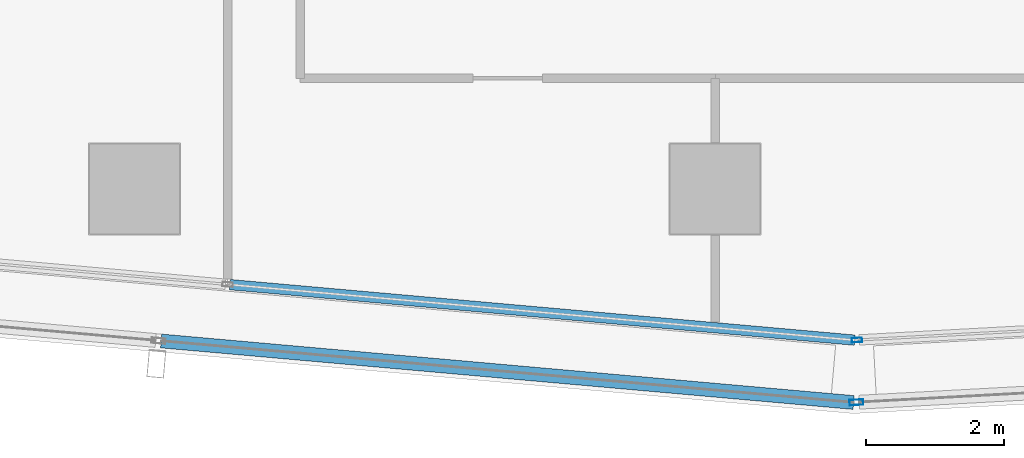
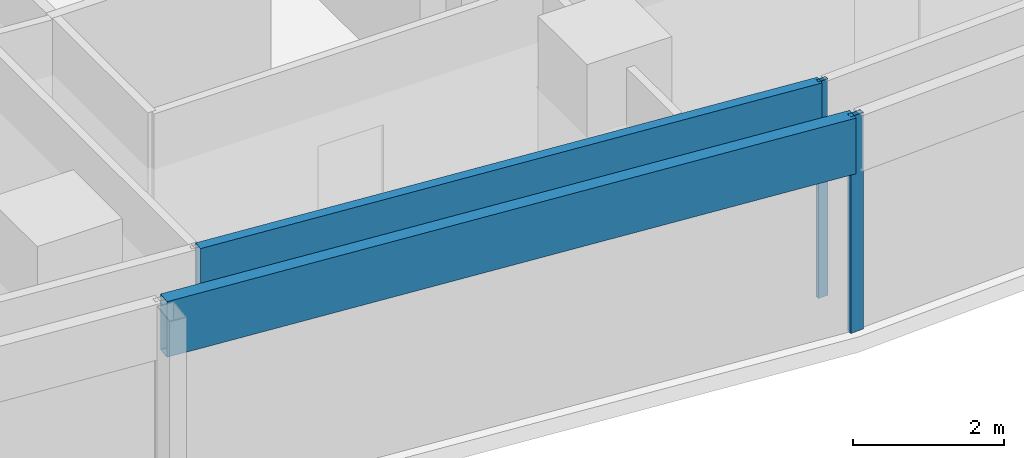
# One storey, part 5 of 29: 4 members, 4 elements without a shape of their own.
"""IFC4 building model written with IfcOpenShell, lengths in metres."""

from ifc_helpers import new_model, si_unit, direction, frame, origin, origin_2d, place, context, subcontext, project, spatial, hollow_rectangle, extrude, material, material_profile, profile_set, type_object, element, aggregate, save


model = new_model("IFC4")

# Units and contexts
model_context = context("Model", 3, precision=1e-05, world=origin(), true_north=direction((0.0, 1.0)))
body_context = subcontext(model_context, "Body", "Model", "MODEL_VIEW")
ifc_project = project(units=[si_unit("LENGTHUNIT", "METRE"), si_unit("AREAUNIT", "SQUARE_METRE"), si_unit("VOLUMEUNIT", "CUBIC_METRE"), si_unit("PLANEANGLEUNIT", "RADIAN"), si_unit("MASSUNIT", "GRAM", prefix="KILO")], contexts=[model_context])

# Site, building, storey
site_placement = place(None, origin())
site = spatial("IfcSite", under=ifc_project, at=site_placement, CompositionType="ELEMENT")
building_placement = place(site_placement, origin())
building = spatial("IfcBuilding", under=site, at=building_placement, Name="Rekha Terrace Tower", CompositionType="ELEMENT")
storey_placement = place(building_placement, frame((0.0, 0.0, 276.35009765625)))
storey = spatial("IfcBuildingStorey", under=building, at=storey_placement, Name="L70", CompositionType="ELEMENT", Elevation=276.35009765625)

# Curtain wall, member
ifc_material_1 = material(Name="Aluminium framing", Category="aluminium")
curtain_wall_type_1 = type_object("IfcCurtainWallType", Name="CW1 double skin inner glazing", PredefinedType="USERDEFINED", material=ifc_material_1)
curtain_wall_1_placement = place(storey_placement, origin())
curtain_wall_1 = element("IfcCurtainWall", 1, at=curtain_wall_1_placement, inside=storey, type_object=curtain_wall_type_1, Name="CW1 double skin inner glazing", ObjectType="DOUBLE SKIN INNER GLAZING", PredefinedType="USERDEFINED")
ifc_material_2 = material(Name="Aluminium mullion section", Category="aluminium")
ifc_material_profile_1 = material_profile(ifc_material_2, hollow_rectangle(XDim=0.06494140625, YDim=0.14990234375, WallThickness=0.00390625, at=origin_2d()), Name="AL RHS 65x150")
ifc_profile_set_1 = profile_set([ifc_material_profile_1], Name="Aluminium mullion section")
member_type_1 = type_object("IfcMemberType", Name="CW1 mullion RHS 65 x 150", PredefinedType="MULLION", material=ifc_profile_set_1)
member_1_placement = place(storey_placement, frame((27.254638671875, 14.6142578125, 0.0), z_axis=(0.0, 0.0, 1.0), x_axis=(-0.054388903036, 0.998519828159, 0.0)))
member_1 = element("IfcMember", 2, at=member_1_placement, type_object=member_type_1, Name="CW1 mullion 1", PredefinedType="MULLION", context=body_context, shape_type="SweptSolid", body=[
    extrude(hollow_rectangle(XDim=0.06494140625, YDim=0.14990234375, WallThickness=0.00390625, at=origin_2d()), origin(), (0.0, 0.0, 1.0), 3.5),
])
aggregate(curtain_wall_1, [member_1])

curtain_wall_2_placement = place(storey_placement, origin())
curtain_wall_2 = element("IfcCurtainWall", 3, at=curtain_wall_2_placement, inside=storey, type_object=curtain_wall_type_1, Name="CW1 double skin inner glazing", ObjectType="DOUBLE SKIN INNER GLAZING", PredefinedType="USERDEFINED")
ifc_material_3 = material(Name="Insulated aluminium spandrel box", Category="aluminium")
ifc_material_profile_2 = material_profile(ifc_material_3, hollow_rectangle(XDim=0.14990234375, YDim=0.89990234375, WallThickness=0.0029296875, at=origin_2d()), Name="AL SPANDREL BOX 150x900")
ifc_profile_set_2 = profile_set([ifc_material_profile_2], Name="Insulated aluminium spandrel box")
member_type_2 = type_object("IfcMemberType", Name="CW1 spandrel transom 150 x 900", PredefinedType="USERDEFINED", material=ifc_profile_set_2)
member_2_placement = place(storey_placement, frame((18.181884765625, 15.416015625, 3.0498046875), z_axis=(0.996073747712, -0.088527335432, 0.0), x_axis=(0.088527335432, 0.996073747712, 0.0)))
member_2 = element("IfcMember", 4, at=member_2_placement, type_object=member_type_2, Name="CW1 spandrel transom 2", ObjectType="TRANSOM", PredefinedType="USERDEFINED", context=body_context, shape_type="SweptSolid", body=[
    extrude(hollow_rectangle(XDim=0.14990234375, YDim=0.89990234375, WallThickness=0.0029296875, at=origin_2d()), origin(), (0.0, 0.0, 1.0), 9.075927734375),
])
aggregate(curtain_wall_2, [member_2])

curtain_wall_type_2 = type_object("IfcCurtainWallType", Name="CW2 double skin outer glazing", PredefinedType="USERDEFINED", material=ifc_material_1)
curtain_wall_3_placement = place(storey_placement, origin())
curtain_wall_3 = element("IfcCurtainWall", 5, at=curtain_wall_3_placement, inside=storey, type_object=curtain_wall_type_2, Name="CW2 double skin outer glazing", ObjectType="DOUBLE SKIN OUTER GLAZING", PredefinedType="USERDEFINED")
ifc_material_profile_3 = material_profile(ifc_material_2, hollow_rectangle(XDim=0.080078125, YDim=0.199951171875, WallThickness=0.00390625, at=origin_2d()), Name="AL RHS 80x200")
ifc_profile_set_3 = profile_set([ifc_material_profile_3], Name="Aluminium mullion section")
member_type_3 = type_object("IfcMemberType", Name="CW2 mullion RHS 80 x 200", PredefinedType="MULLION", material=ifc_profile_set_3)
member_3_placement = place(storey_placement, frame((27.24658203125, 13.712646484375, 0.0), z_axis=(0.0, 0.0, 1.0), x_axis=(-0.054388903071, 0.998519828157, 0.0)))
member_3 = element("IfcMember", 6, at=member_3_placement, type_object=member_type_3, Name="CW2 mullion 1", PredefinedType="MULLION", context=body_context, shape_type="SweptSolid", body=[
    extrude(hollow_rectangle(XDim=0.080078125, YDim=0.199951171875, WallThickness=0.00390625, at=origin_2d()), origin(), (0.0, 0.0, 1.0), 3.5),
])
aggregate(curtain_wall_3, [member_3])

curtain_wall_4_placement = place(storey_placement, origin())
curtain_wall_4 = element("IfcCurtainWall", 7, at=curtain_wall_4_placement, inside=storey, type_object=curtain_wall_type_2, Name="CW2 double skin outer glazing", ObjectType="DOUBLE SKIN OUTER GLAZING", PredefinedType="USERDEFINED")
ifc_material_profile_4 = material_profile(ifc_material_3, hollow_rectangle(XDim=0.199951171875, YDim=0.89990234375, WallThickness=0.0029296875, at=origin_2d()), Name="AL SPANDREL BOX 200x900")
ifc_profile_set_4 = profile_set([ifc_material_profile_4], Name="Insulated aluminium spandrel box")
member_type_4 = type_object("IfcMemberType", Name="CW2 spandrel transom 200 x 900", PredefinedType="USERDEFINED", material=ifc_profile_set_4)
member_4_placement = place(storey_placement, frame((17.188232421875, 14.600830078125, 3.0498046875), z_axis=(0.996074020135, -0.088524270188, 0.0), x_axis=(0.088524270188, 0.996074020135, 0.0)))
member_4 = element("IfcMember", 8, at=member_4_placement, type_object=member_type_4, Name="CW2 spandrel transom 2", ObjectType="TRANSOM", PredefinedType="USERDEFINED", context=body_context, shape_type="SweptSolid", body=[
    extrude(hollow_rectangle(XDim=0.199951171875, YDim=0.89990234375, WallThickness=0.0029296875, at=origin_2d()), origin(), (0.0, 0.0, 1.0), 10.05810546875),
])
aggregate(curtain_wall_4, [member_4])

save(model, "model.ifc")
